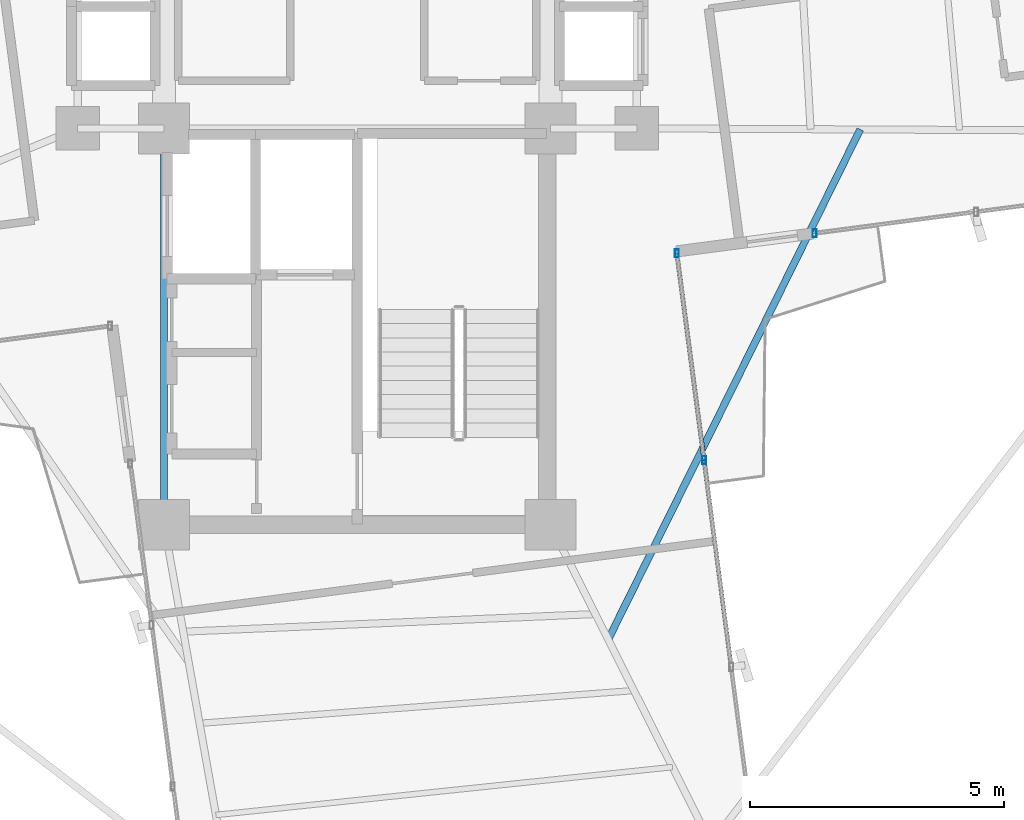
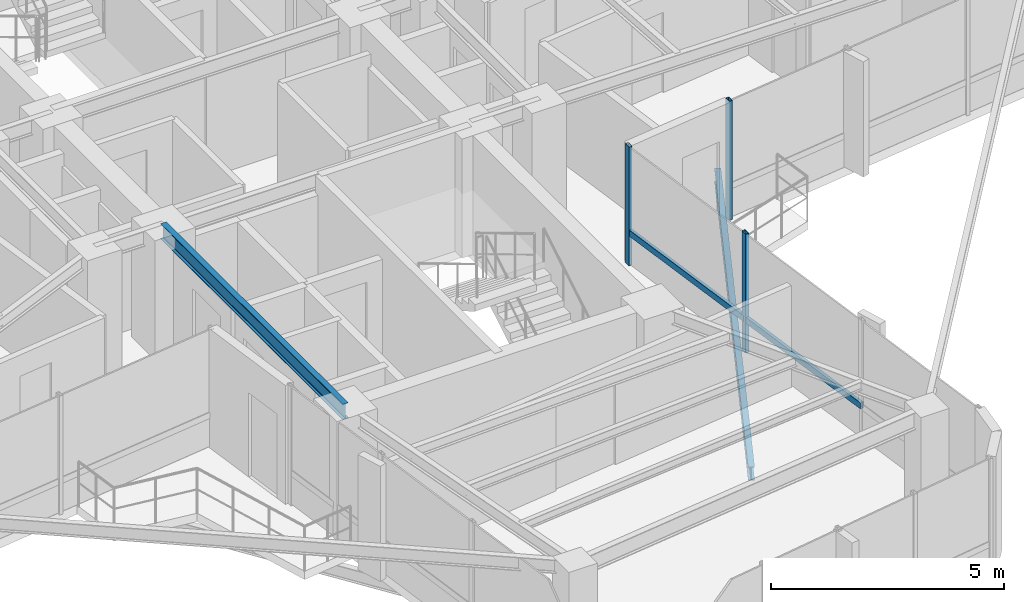
# One storey, part 5 of 22: 5 members, 2 beams, 2 elements without a shape of their own.
"""IFC4 building model written with IfcOpenShell, lengths in metres."""

from ifc_helpers import new_model, si_unit, direction, frame, origin, origin_2d, place, context, subcontext, project, spatial, hollow_rectangle, i_section, extrude, source, transform, mapped, material, material_profile, profile_set, type_object, element, aggregate, save


model = new_model("IFC4")

# Units and contexts
model_context = context("Model", 3, precision=1e-05, world=origin(), true_north=direction((0.0, 1.0)))
body_context = subcontext(model_context, "Body", "Model", "MODEL_VIEW")
ifc_project = project(units=[si_unit("LENGTHUNIT", "METRE"), si_unit("AREAUNIT", "SQUARE_METRE"), si_unit("VOLUMEUNIT", "CUBIC_METRE"), si_unit("PLANEANGLEUNIT", "RADIAN"), si_unit("MASSUNIT", "GRAM", prefix="KILO")], contexts=[model_context])

# Site, building, storey
site_placement = place(None, origin())
site = spatial("IfcSite", under=ifc_project, at=site_placement, CompositionType="ELEMENT")
building_placement = place(site_placement, origin())
building = spatial("IfcBuilding", under=site, at=building_placement, Name="Sahyath Konkavel Grand Hotel", CompositionType="ELEMENT")
storey_placement = place(building_placement, frame((0.0, 0.0, 272.449951171875)))
storey = spatial("IfcBuildingStorey", under=building, at=storey_placement, Name="L76", CompositionType="ELEMENT", Elevation=272.449951171875)

# Beam
ifc_material_1 = material(Name="Steel E350", Category="steel")
ifc_material_profile_1 = material_profile(ifc_material_1, i_section(OverallWidth=0.139892578125, OverallDepth=0.39990234375, WebThickness=0.0087890625, FlangeThickness=0.01611328125, FilletRadius=0.013916015625, at=origin_2d()), Name="ISMB 400")
ifc_profile_set_1 = profile_set([ifc_material_profile_1], Name="Steel E350")
beam_type_1 = type_object("IfcBeamType", Name="BM-ISMB400", PredefinedType="BEAM", material=ifc_profile_set_1)
shared_shape_1 = source(origin(), body_context, "Body", "SweptSolid", [
    extrude(i_section(OverallWidth=0.139892578125, OverallDepth=0.39990234375, WebThickness=0.0087890625, FlangeThickness=0.01611328125, FilletRadius=0.013916015625, at=origin_2d()), origin(), (0.0, 0.0, 1.0), 7.800048828125),
])
beam_1_placement = place(storey_placement, frame((-3.800048828125, -10.199951171875, 2.91015625), z_axis=(0.0, 1.0, 0.0), x_axis=(-1.0, 0.0, 0.0)))
element("IfcBeam", 1, at=beam_1_placement, inside=storey, type_object=beam_type_1, Name="str:bm:L76:SC-W", PredefinedType="BEAM", context=body_context, shape_type="MappedRepresentation", body=[
    mapped(shared_shape_1, transform((0.0, 0.0, 0.0), scale=1.0)),
])

# Curtain wall, member
ifc_material_2 = material(Name="Anodised Bronze Aluminium & Low-E Glazing", Category="aluminium")
curtain_wall_type = type_object("IfcCurtainWallType", Name="CW-ZONE4", PredefinedType="NOTDEFINED", material=ifc_material_2)
curtain_wall_1_placement = place(storey_placement, origin())
curtain_wall_1 = element("IfcCurtainWall", 2, at=curtain_wall_1_placement, inside=storey, type_object=curtain_wall_type, Name="L76 Unitised Curtain Wall F0", PredefinedType="NOTDEFINED")
ifc_material_3 = material(Name="Anodised Bronze Aluminium", Category="aluminium")
ifc_material_profile_2 = material_profile(ifc_material_3, hollow_rectangle(XDim=0.080078125, YDim=0.159912109375, WallThickness=0.006103515625, at=origin_2d()), Name="RHS 160x80x6")
ifc_profile_set_2 = profile_set([ifc_material_profile_2], Name="Anodised Bronze Aluminium")
member_type_1 = type_object("IfcMemberType", Name="CW-MUL-160", PredefinedType="MULLION", material=ifc_profile_set_2)
shared_shape_2 = source(origin(), body_context, "Body", "SweptSolid", [
    extrude(hollow_rectangle(XDim=0.080078125, YDim=0.159912109375, WallThickness=0.006103515625, at=origin_2d()), origin(), (0.0, 0.0, 1.0), 3.110107421875),
])
member_1_placement = place(storey_placement, frame((8.99951171875, -4.46337890625, 0.0), z_axis=(0.0, 0.0, 1.0), x_axis=(1.0, 0.0, 0.0)))
member_1 = element("IfcMember", 3, at=member_1_placement, type_object=member_type_1, Name="L76 Curtain Wall Mullion F0-0", PredefinedType="MULLION", context=body_context, shape_type="MappedRepresentation", body=[
    mapped(shared_shape_2, transform((0.0, 0.0, 0.0), scale=1.0)),
])
aggregate(curtain_wall_1, [member_1])

# Curtain wall, members
curtain_wall_2_placement = place(storey_placement, origin())
curtain_wall_2 = element("IfcCurtainWall", 4, at=curtain_wall_2_placement, inside=storey, type_object=curtain_wall_type, Name="L76 Unitised Curtain Wall F31", PredefinedType="NOTDEFINED")
member_2_placement = place(storey_placement, frame((6.82373046875, -8.928955078125, 0.0), z_axis=(0.0, 0.0, 1.0), x_axis=(1.0, 0.0, 0.0)))
member_2 = element("IfcMember", 5, at=member_2_placement, type_object=member_type_1, Name="L76 Curtain Wall Mullion F31-2", PredefinedType="MULLION", context=body_context, shape_type="MappedRepresentation", body=[
    mapped(shared_shape_2, transform((0.0, 0.0, 0.0), scale=1.0)),
])
member_3_placement = place(storey_placement, frame((6.2880859375, -4.86083984375, 0.0), z_axis=(0.0, 0.0, 1.0), x_axis=(1.0, 0.0, 0.0)))
member_3 = element("IfcMember", 6, at=member_3_placement, type_object=member_type_1, Name="L76 Curtain Wall Mullion F31-3", PredefinedType="MULLION", context=body_context, shape_type="MappedRepresentation", body=[
    mapped(shared_shape_2, transform((0.0, 0.0, 0.0), scale=1.0)),
])
ifc_material_profile_3 = material_profile(ifc_material_3, hollow_rectangle(XDim=0.080078125, YDim=0.159912109375, WallThickness=0.006103515625, at=origin_2d()), Name="RHS 160x80x6")
ifc_profile_set_3 = profile_set([ifc_material_profile_3], Name="Anodised Bronze Aluminium")
member_type_2 = type_object("IfcMemberType", Name="CW-TRN-160", PredefinedType="USERDEFINED", material=ifc_profile_set_3)
shared_shape_3 = source(origin(), body_context, "Body", "SweptSolid", [
    extrude(hollow_rectangle(XDim=0.080078125, YDim=0.159912109375, WallThickness=0.006103515625, at=origin_2d()), origin(), (0.0, 0.0, 1.0), 4.103271484375),
])
member_4_placement = place(storey_placement, frame((6.82373046875, -8.928955078125, 0.85009765625), z_axis=(-0.130542242661, 0.991442748161, 0.0), x_axis=(-0.991442748161, -0.130542242661, 0.0)))
member_4 = element("IfcMember", 7, at=member_4_placement, type_object=member_type_2, Name="L76 Curtain Wall Transom F31-2-spandrel", ObjectType="TRANSOM", PredefinedType="USERDEFINED", context=body_context, shape_type="MappedRepresentation", body=[
    mapped(shared_shape_3, transform((0.0, 0.0, 0.0), scale=1.0)),
])
shared_shape_4 = source(origin(), body_context, "Body", "SweptSolid", [
    extrude(hollow_rectangle(XDim=0.080078125, YDim=0.159912109375, WallThickness=0.006103515625, at=origin_2d()), origin(), (0.0, 0.0, 1.0), 4.103515625),
])
member_5_placement = place(storey_placement, frame((7.359619140625, -12.997314453125, 0.85009765625), z_axis=(-0.130593024052, 0.991436060505, 0.0), x_axis=(-0.991436060505, -0.130593024052, 0.0)))
member_5 = element("IfcMember", 8, at=member_5_placement, type_object=member_type_2, Name="L76 Curtain Wall Transom F31-1-spandrel", ObjectType="TRANSOM", PredefinedType="USERDEFINED", context=body_context, shape_type="MappedRepresentation", body=[
    mapped(shared_shape_4, transform((0.0, 0.0, 0.0), scale=1.0)),
])
aggregate(curtain_wall_2, [member_2, member_3, member_5, member_4])

# Beam
ifc_material_profile_4 = material_profile(ifc_material_1, i_section(OverallWidth=0.139892578125, OverallDepth=0.35009765625, WebThickness=0.008056640625, FlangeThickness=0.01416015625, FilletRadius=0.013916015625, at=origin_2d()), Name="ISMB 350")
ifc_profile_set_4 = profile_set([ifc_material_profile_4], Name="Steel E350")
beam_type_2 = type_object("IfcBeamType", Name="BM-BALC-CANT", PredefinedType="BEAM", material=ifc_profile_set_4)
shared_shape_5 = source(origin(), body_context, "Body", "SweptSolid", [
    extrude(i_section(OverallWidth=0.139892578125, OverallDepth=0.35009765625, WebThickness=0.008056640625, FlangeThickness=0.01416015625, FilletRadius=0.013916015625, at=origin_2d()), origin(), (0.0, 0.0, 1.0), 11.19482421875),
])
beam_2_placement = place(storey_placement, frame((4.9375, -12.4580078125, -0.4150390625), z_axis=(0.442969049107, 0.896536904725, 0.0), x_axis=(-0.896536904725, 0.442969049107, 0.0)))
element("IfcBeam", 9, at=beam_2_placement, inside=storey, type_object=beam_type_2, Name="L76 Balcony Cantilever Support Beam SE", PredefinedType="BEAM", context=body_context, shape_type="MappedRepresentation", body=[
    mapped(shared_shape_5, transform((0.0, 0.0, 0.0), scale=1.0)),
])

save(model, "model.ifc")
